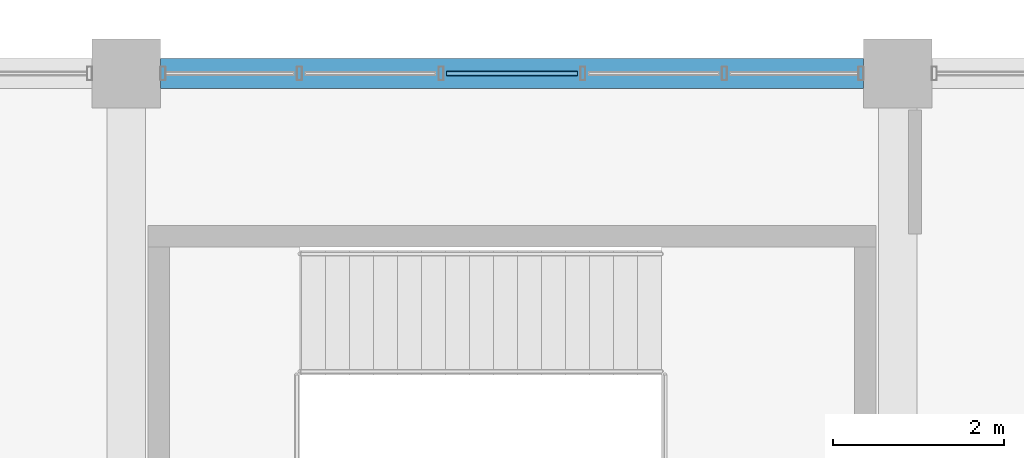
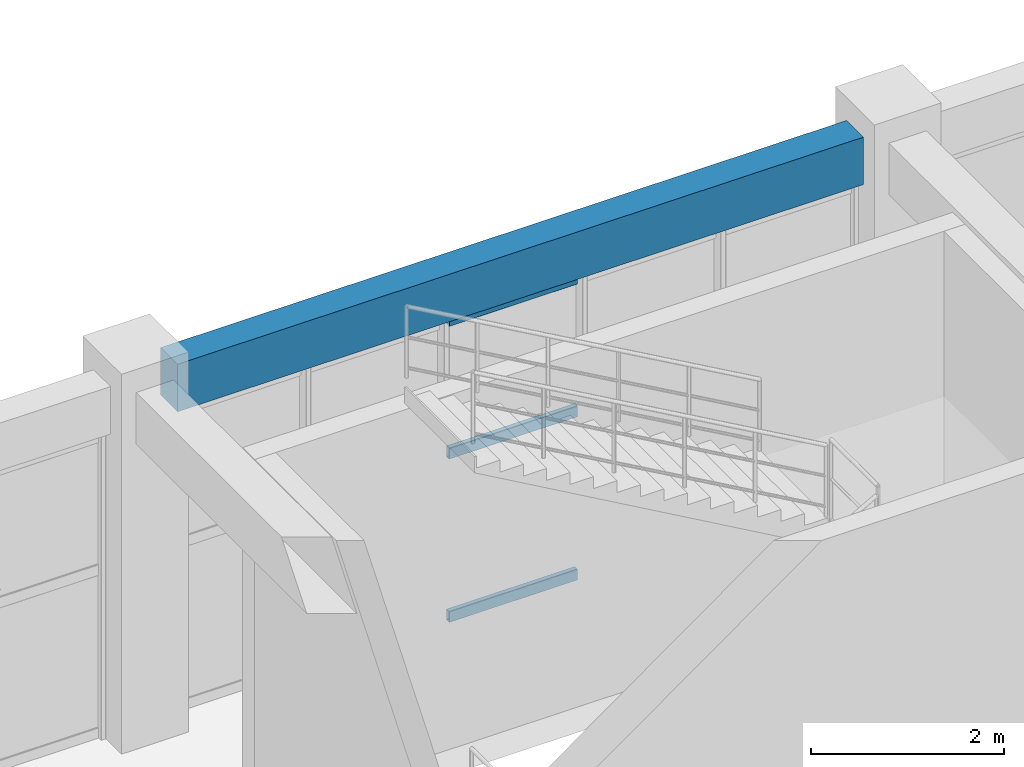
# One storey, part 90 of 178: 3 members, 1 beam, 1 element without a shape of its own.
"""IFC4 building model written with IfcOpenShell, lengths in metres."""

from ifc_helpers import new_model, si_unit, derived_unit, direction, frame, origin, origin_2d, place, context, subcontext, project, spatial, rectangle, hollow_rectangle, extrude, material, material_profile, profile_set, type_object, element, aggregate, save


model = new_model("IFC4")

# Units and contexts
model_context = context("Model", 3, precision=1e-05, world=origin(), true_north=direction((0.0, 1.0)))
body_context = subcontext(model_context, "Body", "Model", "MODEL_VIEW")
ifc_project = project(units=[si_unit("LENGTHUNIT", "METRE"), si_unit("AREAUNIT", "SQUARE_METRE"), si_unit("VOLUMEUNIT", "CUBIC_METRE"), si_unit("PLANEANGLEUNIT", "RADIAN"), si_unit("MASSUNIT", "GRAM", prefix="KILO"), derived_unit("THERMALTRANSMITTANCEUNIT", [(si_unit("MASSUNIT", "GRAM", prefix="KILO"), 1), (si_unit("TIMEUNIT", "SECOND"), -3), (si_unit("THERMODYNAMICTEMPERATUREUNIT", "KELVIN"), -1)])], contexts=[model_context])

# Site, building, storey
site_placement = place(None, origin())
site = spatial("IfcSite", under=ifc_project, at=site_placement, CompositionType="ELEMENT")
building_placement = place(site_placement, origin())
building = spatial("IfcBuilding", under=site, at=building_placement, Name="Zhenchuan Archway Interchange", CompositionType="ELEMENT")
storey_placement = place(building_placement, frame((0.0, 0.0, 5.39990234375)))
storey = spatial("IfcBuildingStorey", under=building, at=storey_placement, Name="L01", CompositionType="ELEMENT", Elevation=5.39990234375)

# Curtain wall, members
ifc_material_1 = material(Name="Anodised Aluminium", Category="aluminium")
curtain_wall_type = type_object("IfcCurtainWallType", Name="CW_UNIT_1", PredefinedType="NOTDEFINED", material=ifc_material_1)
curtain_wall_placement = place(storey_placement, origin())
curtain_wall = element("IfcCurtainWall", 1, at=curtain_wall_placement, inside=storey, type_object=curtain_wall_type, Name="Unitised curtain wall CW:L01:048", PredefinedType="NOTDEFINED")
ifc_material_profile_1 = material_profile(ifc_material_1, hollow_rectangle(XDim=0.06005859375, YDim=0.139892578125, WallThickness=0.00341796875, InnerFilletRadius=0.00341796875, OuterFilletRadius=0.007080078125, at=origin_2d()), Name="ALU 140x60x3.5")
ifc_profile_set_1 = profile_set([ifc_material_profile_1], Name="Anodised Aluminium")
member_type = type_object("IfcMemberType", Name="CW_TRN_140", PredefinedType="USERDEFINED", material=ifc_profile_set_1)
member_1_placement = place(storey_placement, frame((30.733642578125, 112.0, 0.06005859375), z_axis=(1.0, 0.0, 0.0), x_axis=(0.0, 1.0, 0.0)))
member_1 = element("IfcMember", 2, at=member_1_placement, type_object=member_type, Name="CW:L01:048 transom 2-1", ObjectType="TRANSOM", PredefinedType="USERDEFINED", context=body_context, shape_type="SweptSolid", body=[
    extrude(hollow_rectangle(XDim=0.06005859375, YDim=0.139892578125, WallThickness=0.00341796875, InnerFilletRadius=0.00341796875, OuterFilletRadius=0.007080078125, at=origin_2d()), origin(), (0.0, 0.0, 1.0), 1.53271484375),
])
member_2_placement = place(storey_placement, frame((30.733642578125, 112.0, 2.123046875), z_axis=(1.0, 0.0, 0.0), x_axis=(0.0, 1.0, 0.0)))
member_2 = element("IfcMember", 3, at=member_2_placement, type_object=member_type, Name="CW:L01:048 transom 2-2", ObjectType="TRANSOM", PredefinedType="USERDEFINED", context=body_context, shape_type="SweptSolid", body=[
    extrude(hollow_rectangle(XDim=0.06005859375, YDim=0.139892578125, WallThickness=0.00341796875, InnerFilletRadius=0.00341796875, OuterFilletRadius=0.007080078125, at=origin_2d()), origin(), (0.0, 0.0, 1.0), 1.53271484375),
])
member_3_placement = place(storey_placement, frame((30.733642578125, 112.0, 3.800048828125), z_axis=(1.0, 0.0, 0.0), x_axis=(0.0, 1.0, 0.0)))
member_3 = element("IfcMember", 4, at=member_3_placement, type_object=member_type, Name="CW:L01:048 transom 2-3", ObjectType="TRANSOM", PredefinedType="USERDEFINED", context=body_context, shape_type="SweptSolid", body=[
    extrude(hollow_rectangle(XDim=0.06005859375, YDim=0.139892578125, WallThickness=0.00341796875, InnerFilletRadius=0.00341796875, OuterFilletRadius=0.007080078125, at=origin_2d()), origin(), (0.0, 0.0, 1.0), 1.53271484375),
])
aggregate(curtain_wall, [member_1, member_2, member_3])

# Beam
ifc_material_2 = material(Name="Concrete C40", Category="concrete")
ifc_material_profile_2 = material_profile(ifc_material_2, rectangle(XDim=0.35009765625, YDim=0.60009765625, at=origin_2d()), Name="RC 350x600")
ifc_profile_set_2 = profile_set([ifc_material_profile_2], Name="Concrete C40")
beam_type = type_object("IfcBeamType", Name="SP_RC_350x600", PredefinedType="SPANDREL", material=ifc_profile_set_2)
beam_placement = place(storey_placement, frame((27.39990234375, 112.0, 4.210205078125), z_axis=(1.0, 0.0, 0.0), x_axis=(0.0, 1.0, 0.0)))
element("IfcBeam", 5, at=beam_placement, inside=storey, type_object=beam_type, Name="Beam P:4-5 (L01)", PredefinedType="SPANDREL", context=body_context, shape_type="SweptSolid", body=[
    extrude(rectangle(XDim=0.35009765625, YDim=0.60009765625, at=origin_2d()), origin(), (0.0, 0.0, 1.0), 8.2001953125),
])

save(model, "model.ifc")
